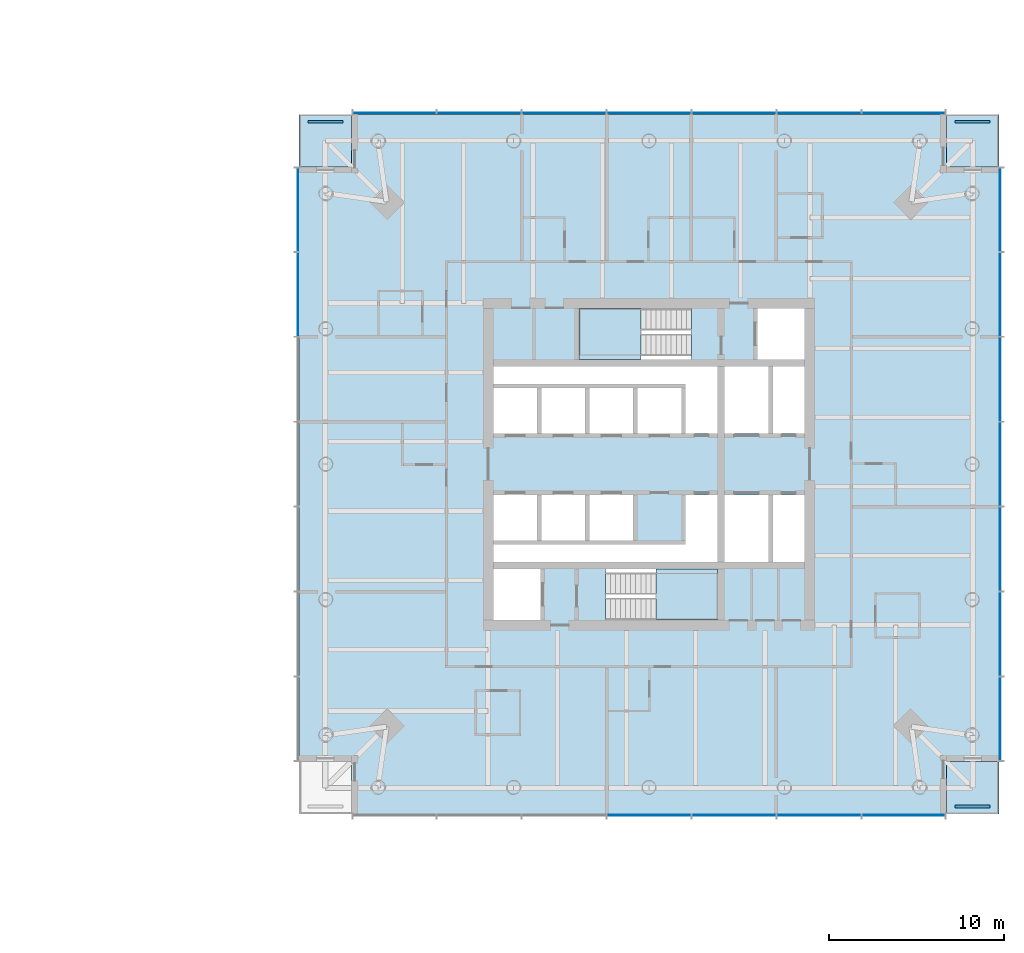
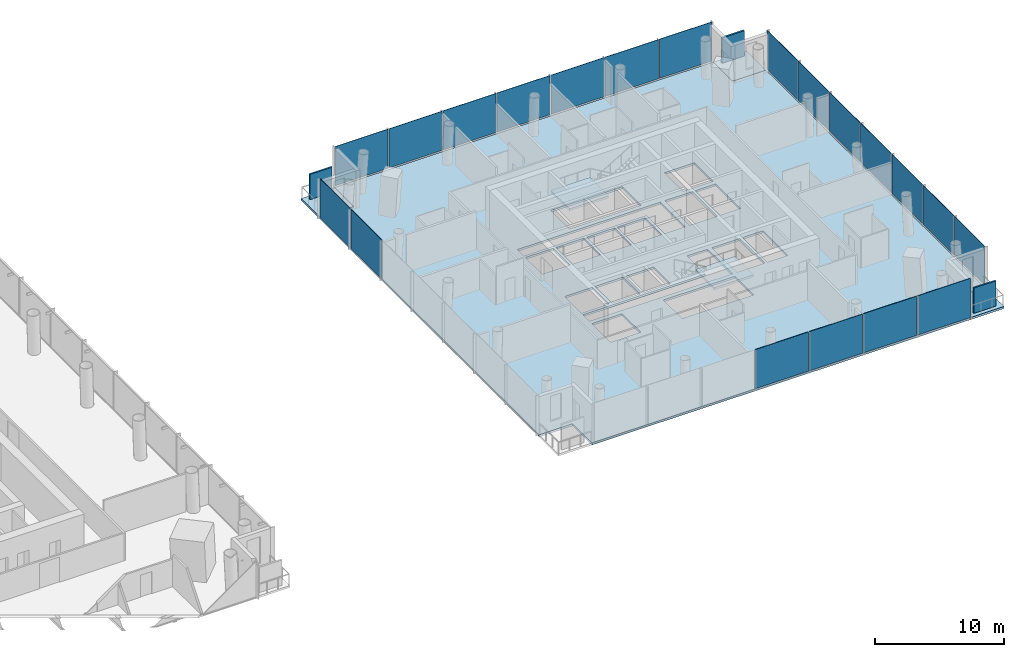
# One storey, part 9 of 21: 23 plates, 6 slabs, 6 elements without a shape of their own.
"""IFC4 building model written with IfcOpenShell, lengths in metres."""

from ifc_helpers import new_model, si_unit, direction, frame, origin, origin_2d, place, context, subcontext, project, spatial, polyline, rectangle, outline, extrude, material, layer, layer_set, type_object, element, aggregate, save


model = new_model("IFC4")

# Units and contexts
model_context = context("Model", 3, precision=1e-05, world=origin(), true_north=direction((0.0, 1.0)))
body_context = subcontext(model_context, "Body", "Model", "MODEL_VIEW")
ifc_project = project(units=[si_unit("LENGTHUNIT", "METRE"), si_unit("AREAUNIT", "SQUARE_METRE"), si_unit("VOLUMEUNIT", "CUBIC_METRE"), si_unit("PLANEANGLEUNIT", "RADIAN"), si_unit("MASSUNIT", "GRAM", prefix="KILO")], contexts=[model_context])

# Site, building, storey
site_placement = place(None, origin())
site = spatial("IfcSite", under=ifc_project, at=site_placement, CompositionType="ELEMENT")
building_placement = place(site_placement, origin())
building = spatial("IfcBuilding", under=site, at=building_placement, Name="Ostroluk Exchange", CompositionType="ELEMENT")
storey_placement = place(building_placement, frame((0.0, 0.0, 32.39990234375)))
storey = spatial("IfcBuildingStorey", under=building, at=storey_placement, Name="L07", CompositionType="ELEMENT", Elevation=32.39990234375)

# Curtain wall, plates
ifc_material_1 = material(Name="Laminated clear glass", Category="glass")
curtain_wall_type = type_object("IfcCurtainWallType", Name="Hotel guest floor facade", PredefinedType="USERDEFINED", material=ifc_material_1)
curtain_wall_1_placement = place(storey_placement, origin())
curtain_wall_1 = element("IfcCurtainWall", 1, at=curtain_wall_1_placement, inside=storey, type_object=curtain_wall_type, Name="Hotel tower south facade L07", ObjectType="UNITISED CURTAIN WALL", PredefinedType="USERDEFINED")
ifc_material_2 = material(Name="Laminated clear glass", Category="glass")
ifc_layer_1 = layer(ifc_material_2, 0.0400390625)
ifc_layer_set_1 = layer_set([ifc_layer_1], Name="Acoustic laminated glazing 40")
plate_type_1 = type_object("IfcPlateType", Name="Acoustic laminated glazing 40", PredefinedType="CURTAIN_PANEL", material=ifc_layer_set_1)
plate_1_placement = place(storey_placement, frame((117.0, 25.925048828125, 0.080078125), z_axis=(0.0, 0.0, 1.0), x_axis=(1.0, 0.0, 0.0)))
plate_1 = element("IfcPlate", 2, at=plate_1_placement, type_object=plate_type_1, Name="CW-H1 panel 4.1", PredefinedType="CURTAIN_PANEL", context=body_context, shape_type="SweptSolid", body=[
    extrude(rectangle(XDim=4.777099609375, YDim=0.0400390625, at=origin_2d()), origin(), (0.0, 0.0, 1.0), 3.719970703125),
])
plate_2_placement = place(storey_placement, frame((121.857177734375, 25.925048828125, 0.080078125), z_axis=(0.0, 0.0, 1.0), x_axis=(1.0, 0.0, 0.0)))
plate_2 = element("IfcPlate", 3, at=plate_2_placement, type_object=plate_type_1, Name="CW-H1 panel 5.1", PredefinedType="CURTAIN_PANEL", context=body_context, shape_type="SweptSolid", body=[
    extrude(rectangle(XDim=4.777099609375, YDim=0.0400390625, at=origin_2d()), origin(), (0.0, 0.0, 1.0), 3.719970703125),
])
plate_3_placement = place(storey_placement, frame((126.71435546875, 25.925048828125, 0.080078125), z_axis=(0.0, 0.0, 1.0), x_axis=(1.0, 0.0, 0.0)))
plate_3 = element("IfcPlate", 4, at=plate_3_placement, type_object=plate_type_1, Name="CW-H1 panel 6.1", PredefinedType="CURTAIN_PANEL", context=body_context, shape_type="SweptSolid", body=[
    extrude(rectangle(XDim=4.777099609375, YDim=0.0400390625, at=origin_2d()), origin(), (0.0, 0.0, 1.0), 3.719970703125),
])
plate_4_placement = place(storey_placement, frame((131.551513671875, 25.925048828125, 0.080078125), z_axis=(0.0, 0.0, 1.0), x_axis=(1.0, 0.0, 0.0)))
plate_4 = element("IfcPlate", 5, at=plate_4_placement, type_object=plate_type_1, Name="CW-H1 panel 7.1", PredefinedType="CURTAIN_PANEL", context=body_context, shape_type="SweptSolid", body=[
    extrude(rectangle(XDim=4.737060546875, YDim=0.0400390625, at=origin_2d()), origin(), (0.0, 0.0, 1.0), 3.719970703125),
])
aggregate(curtain_wall_1, [plate_1, plate_2, plate_3, plate_4])

curtain_wall_2_placement = place(storey_placement, origin())
curtain_wall_2 = element("IfcCurtainWall", 6, at=curtain_wall_2_placement, inside=storey, type_object=curtain_wall_type, Name="Hotel tower east facade L07", ObjectType="UNITISED CURTAIN WALL", PredefinedType="USERDEFINED")
plate_5_placement = place(storey_placement, frame((137.074951171875, 31.448486328125, 0.080078125), z_axis=(0.0, 0.0, 1.0), x_axis=(0.0, 1.0, 0.0)))
plate_5 = element("IfcPlate", 7, at=plate_5_placement, type_object=plate_type_1, Name="CW-H1 panel 1.1", PredefinedType="CURTAIN_PANEL", context=body_context, shape_type="SweptSolid", body=[
    extrude(rectangle(XDim=4.737060546875, YDim=0.0400390625, at=origin_2d()), origin(), (0.0, 0.0, 1.0), 3.719970703125),
])
plate_6_placement = place(storey_placement, frame((137.074951171875, 36.28564453125, 0.080078125), z_axis=(0.0, 0.0, 1.0), x_axis=(0.0, 1.0, 0.0)))
plate_6 = element("IfcPlate", 8, at=plate_6_placement, type_object=plate_type_1, Name="CW-H1 panel 2.1", PredefinedType="CURTAIN_PANEL", context=body_context, shape_type="SweptSolid", body=[
    extrude(rectangle(XDim=4.777099609375, YDim=0.0400390625, at=origin_2d()), origin(), (0.0, 0.0, 1.0), 3.719970703125),
])
plate_7_placement = place(storey_placement, frame((137.074951171875, 41.142822265625, 0.080078125), z_axis=(0.0, 0.0, 1.0), x_axis=(0.0, 1.0, 0.0)))
plate_7 = element("IfcPlate", 9, at=plate_7_placement, type_object=plate_type_1, Name="CW-H1 panel 3.1", PredefinedType="CURTAIN_PANEL", context=body_context, shape_type="SweptSolid", body=[
    extrude(rectangle(XDim=4.777099609375, YDim=0.0400390625, at=origin_2d()), origin(), (0.0, 0.0, 1.0), 3.719970703125),
])
plate_8_placement = place(storey_placement, frame((137.074951171875, 46.0, 0.080078125), z_axis=(0.0, 0.0, 1.0), x_axis=(0.0, 1.0, 0.0)))
plate_8 = element("IfcPlate", 10, at=plate_8_placement, type_object=plate_type_1, Name="CW-H1 panel 4.1", PredefinedType="CURTAIN_PANEL", context=body_context, shape_type="SweptSolid", body=[
    extrude(rectangle(XDim=4.777099609375, YDim=0.0400390625, at=origin_2d()), origin(), (0.0, 0.0, 1.0), 3.719970703125),
])
plate_9_placement = place(storey_placement, frame((137.074951171875, 50.857177734375, 0.080078125), z_axis=(0.0, 0.0, 1.0), x_axis=(0.0, 1.0, 0.0)))
plate_9 = element("IfcPlate", 11, at=plate_9_placement, type_object=plate_type_1, Name="CW-H1 panel 5.1", PredefinedType="CURTAIN_PANEL", context=body_context, shape_type="SweptSolid", body=[
    extrude(rectangle(XDim=4.777099609375, YDim=0.0400390625, at=origin_2d()), origin(), (0.0, 0.0, 1.0), 3.719970703125),
])
plate_10_placement = place(storey_placement, frame((137.074951171875, 55.71435546875, 0.080078125), z_axis=(0.0, 0.0, 1.0), x_axis=(0.0, 1.0, 0.0)))
plate_10 = element("IfcPlate", 12, at=plate_10_placement, type_object=plate_type_1, Name="CW-H1 panel 6.1", PredefinedType="CURTAIN_PANEL", context=body_context, shape_type="SweptSolid", body=[
    extrude(rectangle(XDim=4.777099609375, YDim=0.0400390625, at=origin_2d()), origin(), (0.0, 0.0, 1.0), 3.719970703125),
])
plate_11_placement = place(storey_placement, frame((137.074951171875, 60.551513671875, 0.080078125), z_axis=(0.0, 0.0, 1.0), x_axis=(0.0, 1.0, 0.0)))
plate_11 = element("IfcPlate", 13, at=plate_11_placement, type_object=plate_type_1, Name="CW-H1 panel 7.1", PredefinedType="CURTAIN_PANEL", context=body_context, shape_type="SweptSolid", body=[
    extrude(rectangle(XDim=4.737060546875, YDim=0.0400390625, at=origin_2d()), origin(), (0.0, 0.0, 1.0), 3.719970703125),
])
aggregate(curtain_wall_2, [plate_5, plate_6, plate_7, plate_8, plate_9, plate_10, plate_11])

curtain_wall_3_placement = place(storey_placement, origin())
curtain_wall_3 = element("IfcCurtainWall", 14, at=curtain_wall_3_placement, inside=storey, type_object=curtain_wall_type, Name="Hotel tower north facade L07", ObjectType="UNITISED CURTAIN WALL", PredefinedType="USERDEFINED")
plate_12_placement = place(storey_placement, frame((131.551513671875, 66.074951171875, 0.080078125), z_axis=(0.0, 0.0, 1.0), x_axis=(-1.0, 0.0, 0.0)))
plate_12 = element("IfcPlate", 15, at=plate_12_placement, type_object=plate_type_1, Name="CW-H1 panel 1.1", PredefinedType="CURTAIN_PANEL", context=body_context, shape_type="SweptSolid", body=[
    extrude(rectangle(XDim=4.737060546875, YDim=0.0400390625, at=origin_2d()), origin(), (0.0, 0.0, 1.0), 3.719970703125),
])
plate_13_placement = place(storey_placement, frame((126.71435546875, 66.074951171875, 0.080078125), z_axis=(0.0, 0.0, 1.0), x_axis=(-1.0, 0.0, 0.0)))
plate_13 = element("IfcPlate", 16, at=plate_13_placement, type_object=plate_type_1, Name="CW-H1 panel 2.1", PredefinedType="CURTAIN_PANEL", context=body_context, shape_type="SweptSolid", body=[
    extrude(rectangle(XDim=4.777099609375, YDim=0.0400390625, at=origin_2d()), origin(), (0.0, 0.0, 1.0), 3.719970703125),
])
plate_14_placement = place(storey_placement, frame((121.857177734375, 66.074951171875, 0.080078125), z_axis=(0.0, 0.0, 1.0), x_axis=(-1.0, 0.0, 0.0)))
plate_14 = element("IfcPlate", 17, at=plate_14_placement, type_object=plate_type_1, Name="CW-H1 panel 3.1", PredefinedType="CURTAIN_PANEL", context=body_context, shape_type="SweptSolid", body=[
    extrude(rectangle(XDim=4.777099609375, YDim=0.0400390625, at=origin_2d()), origin(), (0.0, 0.0, 1.0), 3.719970703125),
])
plate_15_placement = place(storey_placement, frame((117.0, 66.074951171875, 0.080078125), z_axis=(0.0, 0.0, 1.0), x_axis=(-1.0, 0.0, 0.0)))
plate_15 = element("IfcPlate", 18, at=plate_15_placement, type_object=plate_type_1, Name="CW-H1 panel 4.1", PredefinedType="CURTAIN_PANEL", context=body_context, shape_type="SweptSolid", body=[
    extrude(rectangle(XDim=4.777099609375, YDim=0.0400390625, at=origin_2d()), origin(), (0.0, 0.0, 1.0), 3.719970703125),
])
plate_16_placement = place(storey_placement, frame((112.142822265625, 66.074951171875, 0.080078125), z_axis=(0.0, 0.0, 1.0), x_axis=(-1.0, 0.0, 0.0)))
plate_16 = element("IfcPlate", 19, at=plate_16_placement, type_object=plate_type_1, Name="CW-H1 panel 5.1", PredefinedType="CURTAIN_PANEL", context=body_context, shape_type="SweptSolid", body=[
    extrude(rectangle(XDim=4.777099609375, YDim=0.0400390625, at=origin_2d()), origin(), (0.0, 0.0, 1.0), 3.719970703125),
])
plate_17_placement = place(storey_placement, frame((107.28564453125, 66.074951171875, 0.080078125), z_axis=(0.0, 0.0, 1.0), x_axis=(-1.0, 0.0, 0.0)))
plate_17 = element("IfcPlate", 20, at=plate_17_placement, type_object=plate_type_1, Name="CW-H1 panel 6.1", PredefinedType="CURTAIN_PANEL", context=body_context, shape_type="SweptSolid", body=[
    extrude(rectangle(XDim=4.777099609375, YDim=0.0400390625, at=origin_2d()), origin(), (0.0, 0.0, 1.0), 3.719970703125),
])
plate_18_placement = place(storey_placement, frame((102.448486328125, 66.074951171875, 0.080078125), z_axis=(0.0, 0.0, 1.0), x_axis=(-1.0, 0.0, 0.0)))
plate_18 = element("IfcPlate", 21, at=plate_18_placement, type_object=plate_type_1, Name="CW-H1 panel 7.1", PredefinedType="CURTAIN_PANEL", context=body_context, shape_type="SweptSolid", body=[
    extrude(rectangle(XDim=4.737060546875, YDim=0.0400390625, at=origin_2d()), origin(), (0.0, 0.0, 1.0), 3.719970703125),
])
aggregate(curtain_wall_3, [plate_12, plate_13, plate_14, plate_15, plate_16, plate_17, plate_18])

curtain_wall_4_placement = place(storey_placement, origin())
curtain_wall_4 = element("IfcCurtainWall", 22, at=curtain_wall_4_placement, inside=storey, type_object=curtain_wall_type, Name="Hotel tower west facade L07", ObjectType="UNITISED CURTAIN WALL", PredefinedType="USERDEFINED")
plate_19_placement = place(storey_placement, frame((96.925048828125, 60.551513671875, 0.080078125), z_axis=(0.0, 0.0, 1.0), x_axis=(0.0, -1.0, 0.0)))
plate_19 = element("IfcPlate", 23, at=plate_19_placement, type_object=plate_type_1, Name="CW-H1 panel 1.1", PredefinedType="CURTAIN_PANEL", context=body_context, shape_type="SweptSolid", body=[
    extrude(rectangle(XDim=4.737060546875, YDim=0.0400390625, at=origin_2d()), origin(), (0.0, 0.0, 1.0), 3.719970703125),
])
plate_20_placement = place(storey_placement, frame((96.925048828125, 55.71435546875, 0.080078125), z_axis=(0.0, 0.0, 1.0), x_axis=(0.0, -1.0, 0.0)))
plate_20 = element("IfcPlate", 24, at=plate_20_placement, type_object=plate_type_1, Name="CW-H1 panel 2.1", PredefinedType="CURTAIN_PANEL", context=body_context, shape_type="SweptSolid", body=[
    extrude(rectangle(XDim=4.777099609375, YDim=0.0400390625, at=origin_2d()), origin(), (0.0, 0.0, 1.0), 3.719970703125),
])
aggregate(curtain_wall_4, [plate_19, plate_20])

# Slabs
ifc_material_3 = material(Name="Concrete C35/45", Category="concrete")
ifc_layer_2 = layer(ifc_material_3, 0.199951171875)
ifc_layer_set_2 = layer_set([ifc_layer_2], Name="Balcony slab 200")
slab_type_1 = type_object("IfcSlabType", Name="Balcony slab 200", PredefinedType="USERDEFINED", material=ifc_layer_set_2)
slab_1_placement = place(storey_placement, frame((0.0, 0.0, -0.199951171875)))
element("IfcSlab", 25, at=slab_1_placement, inside=storey, type_object=slab_type_1, Name="Hotel tower SE corner balcony L07", ObjectType="BALCONY", PredefinedType="USERDEFINED", context=body_context, shape_type="SweptSolid", body=[
    extrude(outline(polyline([(134.0, 26.0), (137.0, 26.0), (137.0, 29.0), (134.0, 29.0), (134.0, 26.0)])), origin(), (0.0, 0.0, 1.0), 0.199951171875),
])
slab_2_placement = place(storey_placement, frame((0.0, 0.0, -0.199951171875)))
element("IfcSlab", 26, at=slab_2_placement, inside=storey, type_object=slab_type_1, Name="Hotel tower NE corner balcony L07", ObjectType="BALCONY", PredefinedType="USERDEFINED", context=body_context, shape_type="SweptSolid", body=[
    extrude(outline(polyline([(134.0, 63.0), (137.0, 63.0), (137.0, 66.0), (134.0, 66.0), (134.0, 63.0)])), origin(), (0.0, 0.0, 1.0), 0.199951171875),
])
slab_3_placement = place(storey_placement, frame((0.0, 0.0, -0.199951171875)))
element("IfcSlab", 27, at=slab_3_placement, inside=storey, type_object=slab_type_1, Name="Hotel tower NW corner balcony L07", ObjectType="BALCONY", PredefinedType="USERDEFINED", context=body_context, shape_type="SweptSolid", body=[
    extrude(outline(polyline([(97.0, 63.0), (100.0, 63.0), (100.0, 66.0), (97.0, 66.0), (97.0, 63.0)])), origin(), (0.0, 0.0, 1.0), 0.199951171875),
])

# Plates
ifc_material_4 = material(Name="Steel S355 trellis with planting", Category="steel")
ifc_layer_3 = layer(ifc_material_4, 0.14990234375)
ifc_layer_set_3 = layer_set([ifc_layer_3], Name="Planted screen 150")
plate_type_2 = type_object("IfcPlateType", Name="Planted screen 150", PredefinedType="USERDEFINED", material=ifc_layer_set_3)
for number, where, z_axis, x_axis, name in (
    (28, (135.5, 26.425048828125, 0.000244140625), (0.0, 0.0, 1.0), (1.0, 0.0, 0.0), "Hotel tower SE planted screen L07"),
    (29, (135.5, 65.574951171875, 0.000244140625), (0.0, 0.0, 1.0), (1.0, 0.0, 0.0), "Hotel tower NE planted screen L07"),
    (30, (98.5, 65.574951171875, 0.000244140625), (0.0, 0.0, 1.0), (1.0, 0.0, 0.0), "Hotel tower NW planted screen L07"),
):
    element("IfcPlate", number, at=place(storey_placement, frame(where, z_axis=z_axis, x_axis=x_axis)), inside=storey, type_object=plate_type_2, Name=name, ObjectType="PLANTED SCREEN", PredefinedType="USERDEFINED", context=body_context, shape_type="SweptSolid", body=[
        extrude(rectangle(XDim=2.0, YDim=0.14990234375, at=origin_2d()), origin(), (0.0, 0.0, 1.0), 2.39990234375),
    ])

# Stair, slab
ifc_material_5 = material(Name="Concrete C30/37", Category="concrete")
stair_type = type_object("IfcStairType", Name="Exit stair half turn 3800", PredefinedType="HALF_TURN_STAIR", material=ifc_material_5)
stair_1_placement = place(storey_placement, origin())
stair_1 = element("IfcStair", 31, at=stair_1_placement, inside=storey, type_object=stair_type, Name="Stair T2-S1 L07", PredefinedType="HALF_TURN_STAIR")
ifc_material_6 = material(Name="Concrete C30/37", Category="concrete")
ifc_layer_4 = layer(ifc_material_6, 0.199951171875)
ifc_layer_set_4 = layer_set([ifc_layer_4], Name="Stair landing 200")
slab_type_2 = type_object("IfcSlabType", Name="Stair landing 200", PredefinedType="LANDING", material=ifc_layer_set_4)
slab_4_placement = place(storey_placement, frame((0.0, 0.0, 1.7001953125)))
slab_4 = element("IfcSlab", 32, at=slab_4_placement, type_object=slab_type_2, Name="T2-S1 landing 1", PredefinedType="LANDING", context=body_context, shape_type="SweptSolid", body=[
    extrude(outline(polyline([(117.39990234375, 37.10009765625), (117.39990234375, 40.0), (120.929931640625, 40.0), (120.929931640625, 37.10009765625), (117.39990234375, 37.10009765625)])), origin(), (0.0, 0.0, 1.0), 0.199951171875),
])
aggregate(stair_1, [slab_4])

stair_2_placement = place(storey_placement, origin())
stair_2 = element("IfcStair", 33, at=stair_2_placement, inside=storey, type_object=stair_type, Name="Stair T2-S2 L07", PredefinedType="HALF_TURN_STAIR")
slab_5_placement = place(storey_placement, frame((0.0, 0.0, 1.7001953125)))
slab_5 = element("IfcSlab", 34, at=slab_5_placement, type_object=slab_type_2, Name="T2-S2 landing 1", PredefinedType="LANDING", context=body_context, shape_type="SweptSolid", body=[
    extrude(outline(polyline([(116.530029296875, 52.0), (116.530029296875, 54.89990234375), (113.0, 54.89990234375), (113.0, 52.0), (116.530029296875, 52.0)])), origin(), (0.0, 0.0, 1.0), 0.199951171875),
])
aggregate(stair_2, [slab_5])

# Slab
ifc_material_7 = material(Name="Concrete C35/45", Category="concrete")
ifc_layer_5 = layer(ifc_material_7, 0.199951171875)
ifc_layer_set_5 = layer_set([ifc_layer_5], Name="Tower floor slab 200 composite")
slab_type_3 = type_object("IfcSlabType", Name="Tower floor slab 200 composite", PredefinedType="FLOOR", material=ifc_layer_set_5)
slab_6_placement = place(storey_placement, frame((0.0, 0.0, -0.199951171875)))
element("IfcSlab", 35, at=slab_6_placement, inside=storey, type_object=slab_type_3, Name="Hotel tower floor slab L07", PredefinedType="FLOOR", context=body_context, shape_type="SweptSolid", body=[
    extrude(outline(polyline([(100.0, 26.0), (134.0, 26.0), (134.0, 29.0), (137.0, 29.0), (137.0, 63.0), (134.0, 63.0), (134.0, 66.0), (100.0, 66.0), (100.0, 63.0), (97.0, 63.0), (97.0, 29.0), (100.0, 29.0), (100.0, 26.0)]), holes=[polyline([(108.10009765625, 37.10009765625), (110.800048828125, 37.10009765625), (110.800048828125, 40.0), (108.10009765625, 40.0), (108.10009765625, 37.10009765625)]), polyline([(114.510009765625, 37.10009765625), (120.929931640625, 37.10009765625), (120.929931640625, 40.0), (114.510009765625, 40.0), (114.510009765625, 37.10009765625)]), polyline([(113.0, 52.0), (119.419921875, 52.0), (119.419921875, 54.89990234375), (113.0, 54.89990234375), (113.0, 52.0)]), polyline([(123.199951171875, 52.0), (125.89990234375, 52.0), (125.89990234375, 54.89990234375), (123.199951171875, 54.89990234375), (123.199951171875, 52.0)]), polyline([(108.10009765625, 47.75), (110.60009765625, 47.75), (110.60009765625, 50.35009765625), (108.10009765625, 50.35009765625), (108.10009765625, 47.75)]), polyline([(110.85009765625, 47.75), (113.35009765625, 47.75), (113.35009765625, 50.35009765625), (110.85009765625, 50.35009765625), (110.85009765625, 47.75)]), polyline([(113.60009765625, 47.75), (116.10009765625, 47.75), (116.10009765625, 50.35009765625), (113.60009765625, 50.35009765625), (113.60009765625, 47.75)]), polyline([(116.35009765625, 47.75), (118.85009765625, 47.75), (118.85009765625, 50.35009765625), (116.35009765625, 50.35009765625), (116.35009765625, 47.75)]), polyline([(108.10009765625, 41.64990234375), (110.60009765625, 41.64990234375), (110.60009765625, 44.25), (108.10009765625, 44.25), (108.10009765625, 41.64990234375)]), polyline([(110.85009765625, 41.64990234375), (113.35009765625, 41.64990234375), (113.35009765625, 44.25), (110.85009765625, 44.25), (110.85009765625, 41.64990234375)]), polyline([(113.60009765625, 41.64990234375), (116.10009765625, 41.64990234375), (116.10009765625, 44.25), (113.60009765625, 44.25), (113.60009765625, 41.64990234375)]), polyline([(121.330078125, 47.75), (123.830078125, 47.75), (123.830078125, 51.60009765625), (121.330078125, 51.60009765625), (121.330078125, 47.75)]), polyline([(121.330078125, 40.39990234375), (123.830078125, 40.39990234375), (123.830078125, 44.25), (121.330078125, 44.25), (121.330078125, 40.39990234375)]), polyline([(120.929931640625, 51.60009765625), (120.929931640625, 47.75), (119.10009765625, 47.75), (119.10009765625, 50.60009765625), (108.10009765625, 50.60009765625), (108.10009765625, 51.60009765625), (120.929931640625, 51.60009765625)]), polyline([(108.10009765625, 40.39990234375), (108.10009765625, 41.39990234375), (119.10009765625, 41.39990234375), (119.10009765625, 44.25), (120.929931640625, 44.25), (120.929931640625, 40.39990234375), (108.10009765625, 40.39990234375)]), polyline([(124.080078125, 47.75), (125.89990234375, 47.75), (125.89990234375, 51.60009765625), (124.080078125, 51.60009765625), (124.080078125, 47.75)]), polyline([(124.080078125, 40.39990234375), (125.89990234375, 40.39990234375), (125.89990234375, 44.25), (124.080078125, 44.25), (124.080078125, 40.39990234375)])]), origin(), (0.0, 0.0, 1.0), 0.199951171875),
])

save(model, "model.ifc")
